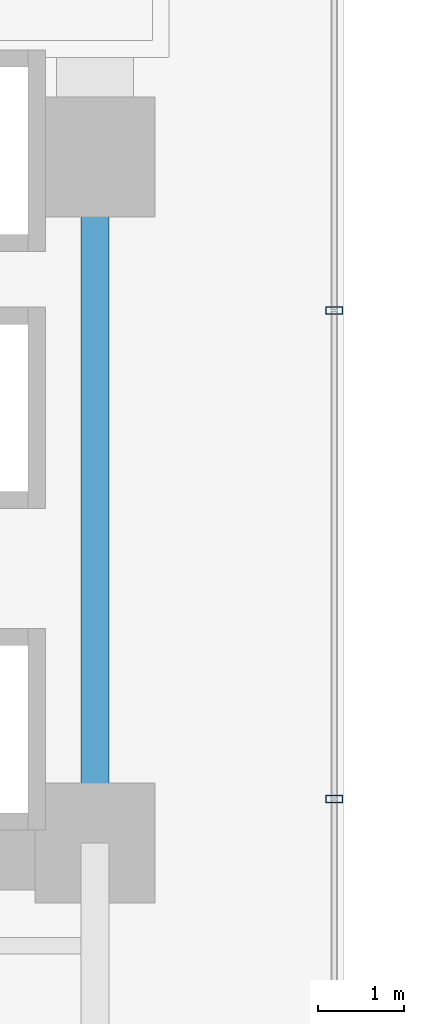
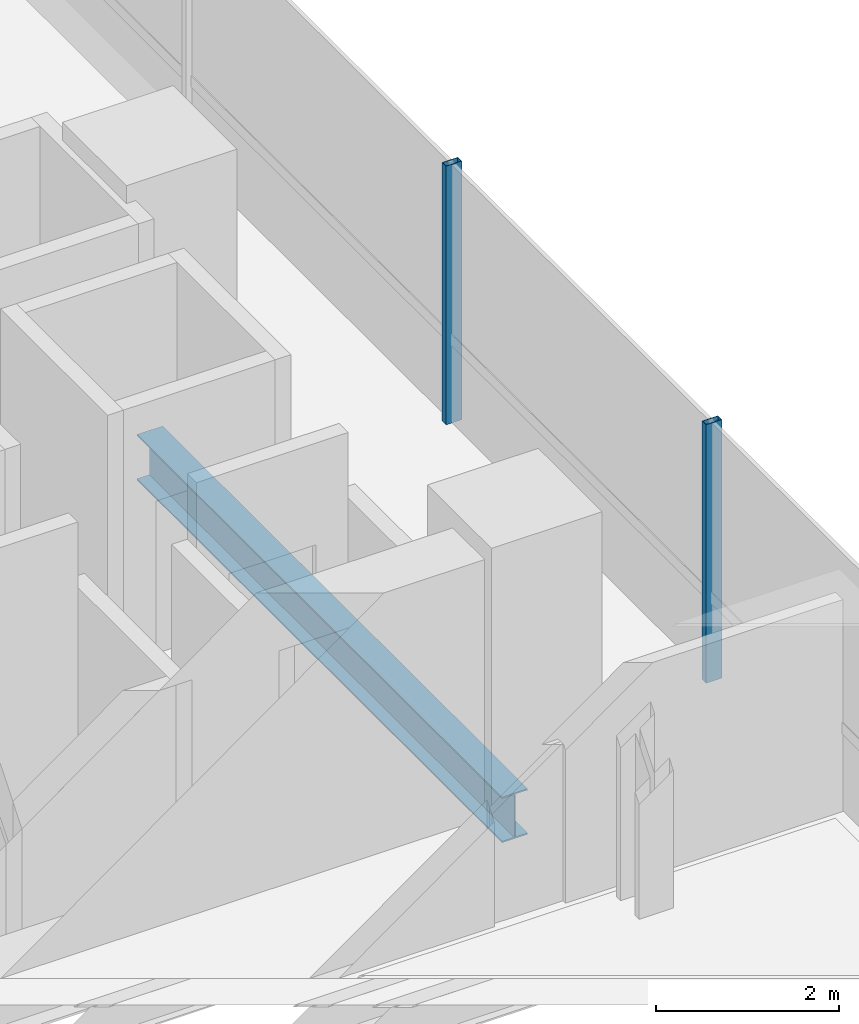
# One storey, part 6 of 41: 2 members, 1 beam, 1 element without a shape of its own.
"""IFC4 building model written with IfcOpenShell, lengths in metres."""

from ifc_helpers import new_model, si_unit, direction, frame, origin, origin_2d, place, context, subcontext, project, spatial, hollow_rectangle, i_section, extrude, source, transform, mapped, material, material_profile, profile_set, type_object, element, aggregate, save


model = new_model("IFC4")

# Units and contexts
model_context = context("Model", 3, precision=1e-05, world=origin(), true_north=direction((0.0, 1.0)))
body_context = subcontext(model_context, "Body", "Model", "MODEL_VIEW")
ifc_project = project(units=[si_unit("LENGTHUNIT", "METRE"), si_unit("AREAUNIT", "SQUARE_METRE"), si_unit("VOLUMEUNIT", "CUBIC_METRE"), si_unit("PLANEANGLEUNIT", "RADIAN"), si_unit("MASSUNIT", "GRAM", prefix="KILO")], contexts=[model_context])

# Site, building, storey
site_placement = place(None, origin())
site = spatial("IfcSite", under=ifc_project, at=site_placement, CompositionType="ELEMENT")
building_placement = place(site_placement, origin())
building = spatial("IfcBuilding", under=site, at=building_placement, Name="Valdorenza Pilgrim Sanctuary Tower", CompositionType="ELEMENT")
storey_placement = place(building_placement, frame((0.0, 0.0, 88.89990234375)))
storey = spatial("IfcBuildingStorey", under=building, at=storey_placement, Name="L22", CompositionType="ELEMENT", Elevation=88.89990234375)

# Beam
ifc_material_1 = material(Name="Steel ASTM A992 Grade 50", Category="steel")
ifc_material_profile_1 = material_profile(ifc_material_1, i_section(OverallWidth=0.323974609375, OverallDepth=0.611083984375, WebThickness=0.0126953125, FlangeThickness=0.01904296875, at=origin_2d()), Name="W24X104")
ifc_profile_set_1 = profile_set([ifc_material_profile_1], Name="Steel ASTM A992 Grade 50")
beam_type = type_object("IfcBeamType", Name="STR-BM-GRD-W24B", PredefinedType="BEAM", material=ifc_profile_set_1)
shared_shape_1 = source(origin(), body_context, "Body", "SweptSolid", [
    extrude(i_section(OverallWidth=0.323974609375, OverallDepth=0.611083984375, WebThickness=0.0126953125, FlangeThickness=0.01904296875, at=origin_2d()), origin(), (0.0, 0.0, 1.0), 8.0),
])
beam_placement = place(storey_placement, frame((-12.39990234375, -10.60009765625, -0.54541015625), z_axis=(0.0, 1.0, 0.0), x_axis=(-1.0, 0.0, 0.0)))
element("IfcBeam", 1, at=beam_placement, inside=storey, type_object=beam_type, Name="L22 Core Tie Girder CA-E-S1M0", PredefinedType="BEAM", context=body_context, shape_type="MappedRepresentation", body=[
    mapped(shared_shape_1, transform((0.0, 0.0, 0.0), x_axis=(1.0, 0.0, 0.0), y_axis=(0.0, 1.0, 0.0), z_axis=(0.0, 0.0, 1.0), scale=1.0)),
])

# Curtain wall, members
ifc_material_2 = material(Name="Curtain-wall IGU glazing", Category="glass")
curtain_wall_type = type_object("IfcCurtainWallType", Name="CW-SYS-02", PredefinedType="NOTDEFINED", material=ifc_material_2)
curtain_wall_placement = place(storey_placement, origin())
curtain_wall = element("IfcCurtainWall", 2, at=curtain_wall_placement, inside=storey, type_object=curtain_wall_type, Name="L22 Curtain Wall CW-L22-1-41", PredefinedType="NOTDEFINED")
ifc_material_3 = material(Name="Anodised aluminium AW-6060", Category="aluminium")
ifc_material_profile_2 = material_profile(ifc_material_3, hollow_rectangle(XDim=0.0849609375, YDim=0.199951171875, WallThickness=0.0048828125, at=origin_2d()), Name="ALU-M 200x85x5")
ifc_profile_set_2 = profile_set([ifc_material_profile_2], Name="Anodised aluminium AW-6060")
member_type = type_object("IfcMemberType", Name="CW-MUL-02", PredefinedType="MULLION", material=ifc_profile_set_2)
shared_shape_2 = source(origin(), body_context, "Body", "SweptSolid", [
    extrude(hollow_rectangle(XDim=0.0849609375, YDim=0.199951171875, WallThickness=0.0048828125, at=origin_2d()), origin(), (0.0, 0.0, 1.0), 3.460205078125),
])
member_1_placement = place(storey_placement, frame((-9.610107421875, -4.38916015625, 0.0), z_axis=(0.0, 0.0, 1.0), x_axis=(0.0, -1.0, 0.0)))
member_1 = element("IfcMember", 3, at=member_1_placement, type_object=member_type, Name="CW-L22-1-41 Mullion 3", PredefinedType="MULLION", context=body_context, shape_type="MappedRepresentation", body=[
    mapped(shared_shape_2, transform((0.0, 0.0, 0.0), x_axis=(1.0, 0.0, 0.0), y_axis=(0.0, 1.0, 0.0), z_axis=(0.0, 0.0, 1.0), scale=1.0)),
])
member_2_placement = place(storey_placement, frame((-9.610107421875, -10.089111328125, 0.0), z_axis=(0.0, 0.0, 1.0), x_axis=(0.0, -1.0, 0.0)))
member_2 = element("IfcMember", 4, at=member_2_placement, type_object=member_type, Name="CW-L22-1-41 Mullion 4", PredefinedType="MULLION", context=body_context, shape_type="MappedRepresentation", body=[
    mapped(shared_shape_2, transform((0.0, 0.0, 0.0), x_axis=(1.0, 0.0, 0.0), y_axis=(0.0, 1.0, 0.0), z_axis=(0.0, 0.0, 1.0), scale=1.0)),
])
aggregate(curtain_wall, [member_1, member_2])

save(model, "model.ifc")
